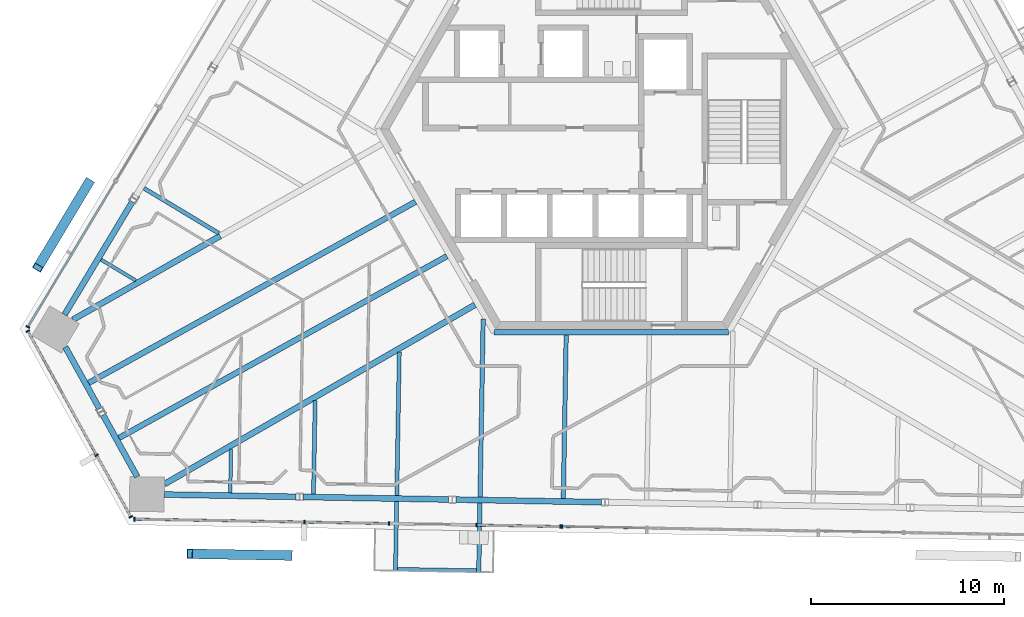
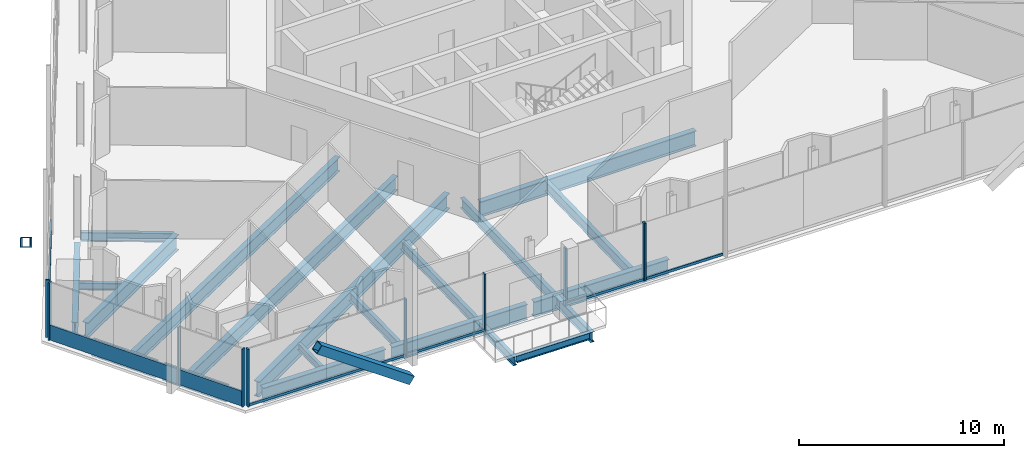
# One storey, part 4 of 22: 21 beams, 19 members, 5 elements without a shape of their own.
"""IFC4 building model written with IfcOpenShell, lengths in metres."""

from ifc_helpers import new_model, si_unit, direction, frame, origin, origin_2d, place, context, subcontext, project, spatial, rectangle, hollow_rectangle, i_section, extrude, source, transform, mapped, material, material_profile, profile_set, type_object, element, aggregate, save


model = new_model("IFC4")

# Units and contexts
model_context = context("Model", 3, precision=1e-05, world=origin(), true_north=direction((0.0, 1.0)))
body_context = subcontext(model_context, "Body", "Model", "MODEL_VIEW")
ifc_project = project(units=[si_unit("LENGTHUNIT", "METRE"), si_unit("AREAUNIT", "SQUARE_METRE"), si_unit("VOLUMEUNIT", "CUBIC_METRE"), si_unit("PLANEANGLEUNIT", "RADIAN"), si_unit("MASSUNIT", "GRAM", prefix="KILO")], contexts=[model_context])

# Site, building, storey
site_placement = place(None, origin())
site = spatial("IfcSite", under=ifc_project, at=site_placement, CompositionType="ELEMENT")
building_placement = place(site_placement, origin())
building = spatial("IfcBuilding", under=site, at=building_placement, Name="Triune Harvest Tower", CompositionType="ELEMENT")
storey_placement = place(building_placement, frame((0.0, 0.0, 208.699951171875)))
storey = spatial("IfcBuildingStorey", under=building, at=storey_placement, Name="L54", CompositionType="ELEMENT", Elevation=208.699951171875)

# Curtain wall, member
ifc_material_1 = material(Name="Aluminium bronze anodised", Category="aluminium")
curtain_wall_type_1 = type_object("IfcCurtainWallType", Name="CW-10 Balcony window wall with insulated spandrel infill", PredefinedType="NOTDEFINED", material=ifc_material_1)
curtain_wall_1_placement = place(storey_placement, origin())
curtain_wall_1 = element("IfcCurtainWall", 1, at=curtain_wall_1_placement, inside=storey, type_object=curtain_wall_type_1, Name="CW-10 B5-F5 L54 run 1")
ifc_material_2 = material(Name="Aluminium bronze anodised", Category="aluminium")
ifc_material_profile_1 = material_profile(ifc_material_2, rectangle(XDim=0.090087890625, YDim=0.14990234375, at=origin_2d()), Name="TR-6 transom 90 x 150")
ifc_profile_set_1 = profile_set([ifc_material_profile_1], Name="Aluminium bronze anodised")
member_type_1 = type_object("IfcMemberType", Name="TR-6 transom 90 x 150", PredefinedType="USERDEFINED", material=ifc_profile_set_1)
member_1_placement = place(storey_placement, frame((-24.7255859375, -20.248779296875, 0.074951171875), z_axis=(0.99984788867, -0.017441316543, 0.0), x_axis=(0.017441316543, 0.99984788867, 0.0)))
member_1 = element("IfcMember", 2, at=member_1_placement, type_object=member_type_1, Name="CW-10 transom B5-F5 1.1", ObjectType="TRANSOM", PredefinedType="USERDEFINED", context=body_context, shape_type="SweptSolid", body=[
    extrude(rectangle(XDim=0.090087890625, YDim=0.14990234375, at=origin_2d()), origin(), (0.0, 0.0, 1.0), 8.74853515625),
])

# Beams
ifc_material_3 = material(Name="Steel ASTM A992 Gr 50", Category="steel")
ifc_material_profile_2 = material_profile(ifc_material_3, i_section(OverallWidth=0.3046875, OverallDepth=0.914306640625, WebThickness=0.0166015625, FlangeThickness=0.02587890625, at=origin_2d()), Name="W36x160")
ifc_profile_set_2 = profile_set([ifc_material_profile_2], Name="Steel ASTM A992 Gr 50")
beam_type_1 = type_object("IfcBeamType", Name="CG-1 Core ring girder W36x160", PredefinedType="BEAM", material=ifc_profile_set_2)
shared_shape_1 = source(origin(), body_context, "Body", "SweptSolid", [
    extrude(i_section(OverallWidth=0.3046875, OverallDepth=0.914306640625, WebThickness=0.0166015625, FlangeThickness=0.02587890625, at=origin_2d()), origin(), (0.0, 0.0, 1.0), 12.17578125),
])
beam_1_placement = place(storey_placement, frame((-6.087890625, -10.544677734375, -0.6171875), z_axis=(1.0, 0.0, 0.0), x_axis=(0.0, 1.0, 0.0)))
element("IfcBeam", 3, at=beam_1_placement, inside=storey, type_object=beam_type_1, Name="beam/L54/CG5", PredefinedType="BEAM", context=body_context, shape_type="MappedRepresentation", body=[
    mapped(shared_shape_1, transform((0.0, 0.0, 0.0), scale=1.0)),
])
ifc_material_4 = material(Name="Steel ASTM A992 Gr 50", Category="steel")
ifc_material_profile_3 = material_profile(ifc_material_4, i_section(OverallWidth=0.3046875, OverallDepth=0.914306640625, WebThickness=0.0166015625, FlangeThickness=0.02587890625, at=origin_2d()), Name="W36x160")
ifc_profile_set_3 = profile_set([ifc_material_profile_3], Name="Steel ASTM A992 Gr 50")
beam_type_2 = type_object("IfcBeamType", Name="SB-1 Spandrel beam W36x160", PredefinedType="SPANDREL", material=ifc_profile_set_3)
shared_shape_2 = source(origin(), body_context, "Body", "SweptSolid", [
    extrude(i_section(OverallWidth=0.3046875, OverallDepth=0.914306640625, WebThickness=0.0166015625, FlangeThickness=0.02587890625, at=origin_2d()), origin(), (0.0, 0.0, 1.0), 6.841796875),
])
for number, where, z_axis, x_axis, name in (
    (4, (-24.86865234375, -3.77001953125, -0.6171875), (-0.515057137128, -0.857155846678, 0.0), (0.857155846678, -0.515057137128, 0.0), "beam/L54/SB14"),
    (5, (-23.21630859375, -18.97265625, -0.6171875), (0.999847751763, -0.01744916312, 0.0), (0.01744916312, 0.999847751763, 0.0), "beam/L54/SB17"),
):
    element("IfcBeam", number, at=place(storey_placement, frame(where, z_axis=z_axis, x_axis=x_axis)), inside=storey, type_object=beam_type_2, Name=name, PredefinedType="SPANDREL", context=body_context, shape_type="MappedRepresentation", body=[
        mapped(shared_shape_2, transform((0.0, 0.0, 0.0), scale=1.0)),
    ])
shared_shape_3 = source(origin(), body_context, "Body", "SweptSolid", [
    extrude(i_section(OverallWidth=0.3046875, OverallDepth=0.914306640625, WebThickness=0.0166015625, FlangeThickness=0.02587890625, at=origin_2d()), origin(), (0.0, 0.0, 1.0), 7.556396484375),
])
for number, where, z_axis, x_axis, name in (
    (6, (-16.0048828125, -19.098388671875, -0.6171875), (0.99984722371, -0.017479394688, 0.0), (0.017479394688, 0.99984722371, 0.0), "beam/L54/SB18"),
    (7, (-8.078857421875, -19.23681640625, -0.6171875), (0.99984722371, -0.017479394688, 0.0), (0.017479394688, 0.99984722371, 0.0), "beam/L54/SB19"),
):
    element("IfcBeam", number, at=place(storey_placement, frame(where, z_axis=z_axis, x_axis=x_axis)), inside=storey, type_object=beam_type_2, Name=name, PredefinedType="SPANDREL", context=body_context, shape_type="MappedRepresentation", body=[
        mapped(shared_shape_3, transform((0.0, 0.0, 0.0), scale=1.0)),
    ])
shared_shape_4 = source(origin(), body_context, "Body", "SweptSolid", [
    extrude(i_section(OverallWidth=0.3046875, OverallDepth=0.914306640625, WebThickness=0.0166015625, FlangeThickness=0.02587890625, at=origin_2d()), origin(), (0.0, 0.0, 1.0), 3.66357421875),
])
beam_2_placement = place(storey_placement, frame((-26.396240234375, -14.84375, -0.6171875), z_axis=(0.484794006312, -0.874628361903, 0.0), x_axis=(0.874628361903, 0.484794006312, 0.0)))
element("IfcBeam", 8, at=beam_2_placement, inside=storey, type_object=beam_type_2, Name="beam/L54/SB16", PredefinedType="SPANDREL", context=body_context, shape_type="MappedRepresentation", body=[
    mapped(shared_shape_4, transform((0.0, 0.0, 0.0), scale=1.0)),
])
shared_shape_5 = source(origin(), body_context, "Body", "SweptSolid", [
    extrude(i_section(OverallWidth=0.3046875, OverallDepth=0.914306640625, WebThickness=0.0166015625, FlangeThickness=0.02587890625, at=origin_2d()), origin(), (0.0, 0.0, 1.0), 3.663818359375),
])
beam_3_placement = place(storey_placement, frame((-28.352294921875, -11.31494140625, -0.6171875), z_axis=(0.484844980499, -0.874600105697, 0.0), x_axis=(0.874600105697, 0.484844980499, 0.0)))
element("IfcBeam", 9, at=beam_3_placement, inside=storey, type_object=beam_type_2, Name="beam/L54/SB15", PredefinedType="SPANDREL", context=body_context, shape_type="MappedRepresentation", body=[
    mapped(shared_shape_5, transform((0.0, 0.0, 0.0), scale=1.0)),
])
ifc_material_5 = material(Name="Steel ASTM A992 Gr 50", Category="steel")
ifc_material_profile_4 = material_profile(ifc_material_5, i_section(OverallWidth=0.307373046875, OverallDepth=0.922119140625, WebThickness=0.018310546875, FlangeThickness=0.030029296875, at=origin_2d()), Name="W36x182")
ifc_profile_set_4 = profile_set([ifc_material_profile_4], Name="Steel ASTM A992 Gr 50")
beam_type_3 = type_object("IfcBeamType", Name="HG-2 Hip girder W36x182", PredefinedType="BEAM", material=ifc_profile_set_4)
shared_shape_6 = source(origin(), body_context, "Body", "SweptSolid", [
    extrude(i_section(OverallWidth=0.307373046875, OverallDepth=0.922119140625, WebThickness=0.018310546875, FlangeThickness=0.030029296875, at=origin_2d()), origin(), (0.0, 0.0, 1.0), 8.79150390625),
])
beam_4_placement = place(storey_placement, frame((-27.958251953125, -9.8955078125, -0.620849609375), z_axis=(0.869275144509, 0.494328557883, 0.0), x_axis=(-0.494328557883, 0.869275144509, 0.0)))
element("IfcBeam", 10, at=beam_4_placement, inside=storey, type_object=beam_type_3, Name="beam/L54/HG5", PredefinedType="BEAM", context=body_context, shape_type="MappedRepresentation", body=[
    mapped(shared_shape_6, transform((0.0, 0.0, 0.0), scale=1.0)),
])
shared_shape_7 = source(origin(), body_context, "Body", "SweptSolid", [
    extrude(i_section(OverallWidth=0.307373046875, OverallDepth=0.922119140625, WebThickness=0.018310546875, FlangeThickness=0.030029296875, at=origin_2d()), origin(), (0.0, 0.0, 1.0), 18.616455078125),
])
beam_5_placement = place(storey_placement, frame((-23.206787109375, -18.431884765625, -0.620849609375), z_axis=(0.866022449336, 0.50000511722, 0.0), x_axis=(-0.50000511722, 0.866022449336, 0.0)))
element("IfcBeam", 11, at=beam_5_placement, inside=storey, type_object=beam_type_3, Name="beam/L54/HG7", PredefinedType="BEAM", context=body_context, shape_type="MappedRepresentation", body=[
    mapped(shared_shape_7, transform((0.0, 0.0, 0.0), scale=1.0)),
])
ifc_material_6 = material(Name="Steel ASTM A992 Gr 50", Category="steel")
ifc_material_profile_5 = material_profile(ifc_material_6, i_section(OverallWidth=0.22900390625, OverallDepth=0.612060546875, WebThickness=0.011962890625, FlangeThickness=0.01953125, at=origin_2d()), Name="W24x84")
ifc_profile_set_5 = profile_set([ifc_material_profile_5], Name="Steel ASTM A992 Gr 50")
beam_type_4 = type_object("IfcBeamType", Name="JT-3 Floor joist W24x84", PredefinedType="JOIST", material=ifc_profile_set_5)
shared_shape_8 = source(origin(), body_context, "Body", "SweptSolid", [
    extrude(i_section(OverallWidth=0.22900390625, OverallDepth=0.612060546875, WebThickness=0.011962890625, FlangeThickness=0.01953125, at=origin_2d()), origin(), (0.0, 0.0, 1.0), 9.247314453125),
])
beam_6_placement = place(storey_placement, frame((-6.8203125, -19.1064453125, -0.466064453125), z_axis=(0.017451330541, 0.999847713936, 0.0), x_axis=(-0.999847713936, 0.017451330541, 0.0)))
element("IfcBeam", 12, at=beam_6_placement, inside=storey, type_object=beam_type_4, Name="beam/L54/JT28", PredefinedType="JOIST", context=body_context, shape_type="MappedRepresentation", body=[
    mapped(shared_shape_8, transform((0.0, 0.0, 0.0), scale=1.0)),
])
shared_shape_9 = source(origin(), body_context, "Body", "SweptSolid", [
    extrude(i_section(OverallWidth=0.22900390625, OverallDepth=0.612060546875, WebThickness=0.011962890625, FlangeThickness=0.01953125, at=origin_2d()), origin(), (0.0, 0.0, 1.0), 8.486083984375),
])
beam_7_placement = place(storey_placement, frame((-2.4970703125, -19.181884765625, -0.466064453125), z_axis=(0.017434191628, 0.999848012931, 0.0), x_axis=(-0.999848012931, 0.017434191628, 0.0)))
element("IfcBeam", 13, at=beam_7_placement, inside=storey, type_object=beam_type_4, Name="beam/L54/JT29", PredefinedType="JOIST", context=body_context, shape_type="MappedRepresentation", body=[
    mapped(shared_shape_9, transform((0.0, 0.0, 0.0), scale=1.0)),
])
ifc_material_7 = material(Name="Steel ASTM A992 Gr 50", Category="steel")
ifc_material_profile_6 = material_profile(ifc_material_7, i_section(OverallWidth=0.2099609375, OverallDepth=0.535888671875, WebThickness=0.010986328125, FlangeThickness=0.017333984375, at=origin_2d()), Name="W21x68")
ifc_profile_set_6 = profile_set([ifc_material_profile_6], Name="Steel ASTM A992 Gr 50")
beam_type_5 = type_object("IfcBeamType", Name="JT-2 Floor joist W21x68", PredefinedType="JOIST", material=ifc_profile_set_6)
shared_shape_10 = source(origin(), body_context, "Body", "SweptSolid", [
    extrude(i_section(OverallWidth=0.2099609375, OverallDepth=0.535888671875, WebThickness=0.010986328125, FlangeThickness=0.017333984375, at=origin_2d()), origin(), (0.0, 0.0, 1.0), 4.538818359375),
])
beam_8_placement = place(storey_placement, frame((-24.271484375, -3.072021484375, -0.427978515625), z_axis=(0.85717477652, -0.515025632855, 0.0), x_axis=(0.515025632855, 0.85717477652, 0.0)))
element("IfcBeam", 14, at=beam_8_placement, inside=storey, type_object=beam_type_5, Name="beam/L54/JT21", PredefinedType="JOIST", context=body_context, shape_type="MappedRepresentation", body=[
    mapped(shared_shape_10, transform((0.0, 0.0, 0.0), scale=1.0)),
])
ifc_material_8 = material(Name="Steel ASTM A992 Gr 50", Category="steel")
ifc_material_profile_7 = material_profile(ifc_material_8, i_section(OverallWidth=0.2919921875, OverallDepth=0.8408203125, WebThickness=0.0146484375, FlangeThickness=0.021728515625, at=origin_2d()), Name="W33x130")
ifc_profile_set_7 = profile_set([ifc_material_profile_7], Name="Steel ASTM A992 Gr 50")
beam_type_6 = type_object("IfcBeamType", Name="JT-6 Floor joist W33x130", PredefinedType="JOIST", material=ifc_profile_set_7)
shared_shape_11 = source(origin(), body_context, "Body", "SweptSolid", [
    extrude(i_section(OverallWidth=0.2919921875, OverallDepth=0.8408203125, WebThickness=0.0146484375, FlangeThickness=0.021728515625, at=origin_2d()), origin(), (0.0, 0.0, 1.0), 19.403564453125),
])
beam_9_placement = place(storey_placement, frame((-27.142822265625, -13.1826171875, -0.580322265625), z_axis=(0.874615069694, 0.484817986325, 0.0), x_axis=(-0.484817986325, 0.874615069694, 0.0)))
element("IfcBeam", 15, at=beam_9_placement, inside=storey, type_object=beam_type_6, Name="beam/L54/JT23", PredefinedType="JOIST", context=body_context, shape_type="MappedRepresentation", body=[
    mapped(shared_shape_11, transform((0.0, 0.0, 0.0), scale=1.0)),
])
shared_shape_12 = source(origin(), body_context, "Body", "SweptSolid", [
    extrude(i_section(OverallWidth=0.2919921875, OverallDepth=0.8408203125, WebThickness=0.0146484375, FlangeThickness=0.021728515625, at=origin_2d()), origin(), (0.0, 0.0, 1.0), 19.460205078125),
])
beam_10_placement = place(storey_placement, frame((-25.562744140625, -16.03271484375, -0.580322265625), z_axis=(0.874617874633, 0.484812926161, 0.0), x_axis=(-0.484812926161, 0.874617874633, 0.0)))
element("IfcBeam", 16, at=beam_10_placement, inside=storey, type_object=beam_type_6, Name="beam/L54/JT24", PredefinedType="JOIST", context=body_context, shape_type="MappedRepresentation", body=[
    mapped(shared_shape_12, transform((0.0, 0.0, 0.0), scale=1.0)),
])
shared_shape_13 = source(origin(), body_context, "Body", "SweptSolid", [
    extrude(i_section(OverallWidth=0.2099609375, OverallDepth=0.535888671875, WebThickness=0.010986328125, FlangeThickness=0.017333984375, at=origin_2d()), origin(), (0.0, 0.0, 1.0), 4.864501953125),
])
beam_11_placement = place(storey_placement, frame((-15.467041015625, -18.95556640625, -0.427978515625), z_axis=(0.017465461228, 0.999847467199, 0.0), x_axis=(-0.999847467199, 0.017465461228, 0.0)))
element("IfcBeam", 17, at=beam_11_placement, inside=storey, type_object=beam_type_5, Name="beam/L54/JT26", PredefinedType="JOIST", context=body_context, shape_type="MappedRepresentation", body=[
    mapped(shared_shape_13, transform((0.0, 0.0, 0.0), scale=1.0)),
])
ifc_material_9 = material(Name="Steel ASTM A992 Gr 50", Category="steel")
ifc_material_profile_8 = material_profile(ifc_material_9, i_section(OverallWidth=0.180908203125, OverallDepth=0.41650390625, WebThickness=0.010986328125, FlangeThickness=0.01806640625, at=origin_2d()), Name="W16x57")
ifc_profile_set_8 = profile_set([ifc_material_profile_8], Name="Steel ASTM A992 Gr 50")
beam_type_7 = type_object("IfcBeamType", Name="JT-1 Floor joist W16x57", PredefinedType="JOIST", material=ifc_profile_set_8)
shared_shape_14 = source(origin(), body_context, "Body", "SweptSolid", [
    extrude(i_section(OverallWidth=0.180908203125, OverallDepth=0.41650390625, WebThickness=0.010986328125, FlangeThickness=0.01806640625, at=origin_2d()), origin(), (0.0, 0.0, 1.0), 2.104736328125),
])
beam_12_placement = place(storey_placement, frame((-26.498291015625, -6.7783203125, -0.3681640625), z_axis=(0.857185733632, -0.51500739612, 0.0), x_axis=(0.51500739612, 0.857185733632, 0.0)))
element("IfcBeam", 18, at=beam_12_placement, inside=storey, type_object=beam_type_7, Name="beam/L54/JT22", PredefinedType="JOIST", context=body_context, shape_type="MappedRepresentation", body=[
    mapped(shared_shape_14, transform((0.0, 0.0, 0.0), scale=1.0)),
])
shared_shape_15 = source(origin(), body_context, "Body", "SweptSolid", [
    extrude(i_section(OverallWidth=0.180908203125, OverallDepth=0.41650390625, WebThickness=0.010986328125, FlangeThickness=0.01806640625, at=origin_2d()), origin(), (0.0, 0.0, 1.0), 2.26611328125),
])
beam_13_placement = place(storey_placement, frame((-19.790283203125, -18.8798828125, -0.3681640625), z_axis=(0.017452357155, 0.999847696017, 0.0), x_axis=(-0.999847696017, 0.017452357155, 0.0)))
element("IfcBeam", 19, at=beam_13_placement, inside=storey, type_object=beam_type_7, Name="beam/L54/JT25", PredefinedType="JOIST", context=body_context, shape_type="MappedRepresentation", body=[
    mapped(shared_shape_15, transform((0.0, 0.0, 0.0), scale=1.0)),
])
shared_shape_16 = source(origin(), body_context, "Body", "SweptSolid", [
    extrude(i_section(OverallWidth=0.2099609375, OverallDepth=0.535888671875, WebThickness=0.010986328125, FlangeThickness=0.017333984375, at=origin_2d()), origin(), (0.0, 0.0, 1.0), 7.462890625),
])
beam_14_placement = place(storey_placement, frame((-11.143798828125, -19.031005859375, -0.427978515625), z_axis=(0.017469440512, 0.99984739768, 0.0), x_axis=(-0.99984739768, 0.017469440512, 0.0)))
element("IfcBeam", 20, at=beam_14_placement, inside=storey, type_object=beam_type_5, Name="beam/L54/JT27", PredefinedType="JOIST", context=body_context, shape_type="MappedRepresentation", body=[
    mapped(shared_shape_16, transform((0.0, 0.0, 0.0), scale=1.0)),
])

# Members
ifc_material_10 = material(Name="Steel ASTM A572 Gr 50", Category="steel")
ifc_material_profile_9 = material_profile(ifc_material_10, hollow_rectangle(XDim=0.5, YDim=0.5, WallThickness=0.030029296875, at=origin_2d()), Name="Box 500x500x30")
ifc_profile_set_9 = profile_set([ifc_material_profile_9], Name="Steel ASTM A572 Gr 50")
member_type_2 = type_object("IfcMemberType", Name="BR-3 Brace Box 500x500x30", PredefinedType="BRACE", material=ifc_profile_set_9)
shared_shape_17 = source(origin(), body_context, "Body", "SweptSolid", [
    extrude(hollow_rectangle(XDim=0.5, YDim=0.5, WallThickness=0.030029296875, at=origin_2d()), origin(), (0.0, 0.0, 1.0), 6.302978515625),
])
for number, where, z_axis, x_axis, name in (
    (21, (-27.119140625, -2.75439453125, 0.0), (-0.422741643471, -0.703601058607, 0.571169898719), (0.857180490419, -0.515016122898, 0.0), "brace/B5-F3/d1/9"),
    (22, (-16.71728515625, -22.138671875, 0.0), (-0.820702450546, 0.014331692784, 0.57117605889), (-0.017460052757, -0.99984756166, 0.0), "brace/B5-F5/d2/9"),
):
    element("IfcMember", number, at=place(storey_placement, frame(where, z_axis=z_axis, x_axis=x_axis)), inside=storey, type_object=member_type_2, Name=name, PredefinedType="BRACE", context=body_context, shape_type="MappedRepresentation", body=[
        mapped(shared_shape_17, transform((0.0, 0.0, 0.0), scale=1.0)),
    ])

# Curtain wall, member
ifc_material_11 = material(Name="Aluminium bronze anodised", Category="aluminium")
curtain_wall_type_2 = type_object("IfcCurtainWallType", Name="CW-7 Tower stick curtain wall with insulated spandrel infill", PredefinedType="NOTDEFINED", material=ifc_material_11)
curtain_wall_2_placement = place(storey_placement, origin())
curtain_wall_2 = element("IfcCurtainWall", 23, at=curtain_wall_2_placement, inside=storey, type_object=curtain_wall_type_2, Name="CW-7 B5-F3 L54 run 4001")
ifc_material_12 = material(Name="Aluminium bronze anodised", Category="aluminium")
ifc_material_profile_10 = material_profile(ifc_material_12, rectangle(XDim=0.199951171875, YDim=0.074951171875, at=origin_2d()), Name="MU-1 mullion 75 x 200")
ifc_profile_set_10 = profile_set([ifc_material_profile_10], Name="Aluminium bronze anodised")
member_type_3 = type_object("IfcMemberType", Name="MU-1 mullion 75 x 200", PredefinedType="MULLION", material=ifc_profile_set_10)
shared_shape_18 = source(origin(), body_context, "Body", "SweptSolid", [
    extrude(rectangle(XDim=0.199951171875, YDim=0.074951171875, at=origin_2d()), origin(), (0.0, 0.0, 1.0), 3.43994140625),
])
member_2_placement = place(storey_placement, frame((-30.293701171875, -10.2705078125, 0.0), z_axis=(0.0, 0.0, 1.0), x_axis=(0.857166467941, -0.515039460855, 0.0)))
member_2 = element("IfcMember", 24, at=member_2_placement, type_object=member_type_3, Name="CW-7 mullion B5-F3 4001.3", PredefinedType="MULLION", context=body_context, shape_type="MappedRepresentation", body=[
    mapped(shared_shape_18, transform((0.0, 0.0, 0.0), scale=1.0)),
])

# Curtain wall, members
curtain_wall_3_placement = place(storey_placement, origin())
curtain_wall_3 = element("IfcCurtainWall", 25, at=curtain_wall_3_placement, inside=storey, type_object=curtain_wall_type_2, Name="CW-7 B5-F4 L54 run 1")
member_3_placement = place(storey_placement, frame((-30.297607421875, -10.4912109375, 0.0), z_axis=(0.0, 0.0, 1.0), x_axis=(0.874623958582, 0.484801950362, 0.0)))
member_3 = element("IfcMember", 26, at=member_3_placement, type_object=member_type_3, Name="CW-7 mullion B5-F4 1.1", PredefinedType="MULLION", context=body_context, shape_type="MappedRepresentation", body=[
    mapped(shared_shape_18, transform((0.0, 0.0, 0.0), scale=1.0)),
])
member_4_placement = place(storey_placement, frame((-26.72802734375, -16.930908203125, 0.0), z_axis=(0.0, 0.0, 1.0), x_axis=(0.874623958582, 0.484801950362, 0.0)))
member_4 = element("IfcMember", 27, at=member_4_placement, type_object=member_type_3, Name="CW-7 mullion B5-F4 1.3", PredefinedType="MULLION", context=body_context, shape_type="MappedRepresentation", body=[
    mapped(shared_shape_18, transform((0.0, 0.0, 0.0), scale=1.0)),
])
member_5_placement = place(storey_placement, frame((-24.952392578125, -20.13427734375, 0.0), z_axis=(0.0, 0.0, 1.0), x_axis=(0.874623958582, 0.484801950362, 0.0)))
member_5 = element("IfcMember", 28, at=member_5_placement, type_object=member_type_3, Name="CW-7 mullion B5-F4 1.4", PredefinedType="MULLION", context=body_context, shape_type="MappedRepresentation", body=[
    mapped(shared_shape_18, transform((0.0, 0.0, 0.0), scale=1.0)),
])

# Member
ifc_material_13 = material(Name="Aluminium bronze anodised", Category="aluminium")
ifc_material_profile_11 = material_profile(ifc_material_13, rectangle(XDim=0.199951171875, YDim=0.074951171875, at=origin_2d()), Name="MU-6 mullion 75 x 200")
ifc_profile_set_11 = profile_set([ifc_material_profile_11], Name="Aluminium bronze anodised")
member_type_4 = type_object("IfcMemberType", Name="MU-6 mullion 75 x 200", PredefinedType="MULLION", material=ifc_profile_set_11)
shared_shape_19 = source(origin(), body_context, "Body", "SweptSolid", [
    extrude(rectangle(XDim=0.199951171875, YDim=0.074951171875, at=origin_2d()), origin(), (0.0, 0.0, 1.0), 3.43994140625),
])
member_6_placement = place(storey_placement, frame((-24.76318359375, -20.248046875, 0.0), z_axis=(0.0, 0.0, 1.0), x_axis=(0.017451657526, 0.999847708228, 0.0)))
member_6 = element("IfcMember", 29, at=member_6_placement, type_object=member_type_4, Name="CW-10 mullion B5-F5 1.1", PredefinedType="MULLION", context=body_context, shape_type="MappedRepresentation", body=[
    mapped(shared_shape_19, transform((0.0, 0.0, 0.0), scale=1.0)),
])

member_7_placement = place(storey_placement, frame((-15.940673828125, -20.402099609375, 0.0), z_axis=(0.0, 0.0, 1.0), x_axis=(0.017451657526, 0.999847708228, 0.0)))
member_7 = element("IfcMember", 30, at=member_7_placement, type_object=member_type_4, Name="CW-10 mullion B5-F5 1.3", PredefinedType="MULLION", context=body_context, shape_type="MappedRepresentation", body=[
    mapped(shared_shape_19, transform((0.0, 0.0, 0.0), scale=1.0)),
])

member_8_placement = place(storey_placement, frame((-11.54833984375, -20.478759765625, 0.0), z_axis=(0.0, 0.0, 1.0), x_axis=(0.017451657526, 0.999847708228, 0.0)))
member_8 = element("IfcMember", 31, at=member_8_placement, type_object=member_type_4, Name="CW-10 mullion B5-F5 1.4", PredefinedType="MULLION", context=body_context, shape_type="MappedRepresentation", body=[
    mapped(shared_shape_19, transform((0.0, 0.0, 0.0), scale=1.0)),
])

# Curtain wall, members
curtain_wall_4_placement = place(storey_placement, origin())
curtain_wall_4 = element("IfcCurtainWall", 32, at=curtain_wall_4_placement, inside=storey, type_object=curtain_wall_type_1, Name="CW-10 B5-F5 L54 run 2")
member_9_placement = place(storey_placement, frame((-7.01318359375, -20.557861328125, 0.0), z_axis=(0.0, 0.0, 1.0), x_axis=(0.017451075826, 0.999847718381, 0.0)))
member_9 = element("IfcMember", 33, at=member_9_placement, type_object=member_type_4, Name="CW-10 mullion B5-F5 2.1", PredefinedType="MULLION", context=body_context, shape_type="MappedRepresentation", body=[
    mapped(shared_shape_19, transform((0.0, 0.0, 0.0), scale=1.0)),
])
member_10_placement = place(storey_placement, frame((-2.64111328125, -20.634033203125, 0.0), z_axis=(0.0, 0.0, 1.0), x_axis=(0.017451075826, 0.999847718381, 0.0)))
member_10 = element("IfcMember", 34, at=member_10_placement, type_object=member_type_4, Name="CW-10 mullion B5-F5 2.2", PredefinedType="MULLION", context=body_context, shape_type="MappedRepresentation", body=[
    mapped(shared_shape_19, transform((0.0, 0.0, 0.0), scale=1.0)),
])

# Curtain wall, member
ifc_material_14 = material(Name="Aluminium bronze anodised", Category="aluminium")
curtain_wall_type_3 = type_object("IfcCurtainWallType", Name="CW-6 Balcony window wall", PredefinedType="NOTDEFINED", material=ifc_material_14)
curtain_wall_5_placement = place(storey_placement, origin())
curtain_wall_5 = element("IfcCurtainWall", 35, at=curtain_wall_5_placement, inside=storey, type_object=curtain_wall_type_3, Name="CW-6 B5-F5 L54 run 1002")
member_11_placement = place(storey_placement, frame((-2.566162109375, -20.635498046875, 0.0), z_axis=(0.0, 0.0, 1.0), x_axis=(0.017446917898, 0.999847790944, 0.0)))
member_11 = element("IfcMember", 36, at=member_11_placement, type_object=member_type_4, Name="CW-6 mullion B5-F5 1002.1", PredefinedType="MULLION", context=body_context, shape_type="MappedRepresentation", body=[
    mapped(shared_shape_19, transform((0.0, 0.0, 0.0), scale=1.0)),
])

# Beams
ifc_material_15 = material(Name="Steel ASTM A992 Gr 50", Category="steel")
ifc_material_profile_12 = material_profile(ifc_material_15, i_section(OverallWidth=0.22900390625, OverallDepth=0.612060546875, WebThickness=0.011962890625, FlangeThickness=0.01953125, at=origin_2d()), Name="W24x84")
ifc_profile_set_12 = profile_set([ifc_material_profile_12], Name="Steel ASTM A992 Gr 50")
beam_type_8 = type_object("IfcBeamType", Name="BJ-3 Balcony cantilever joist W24x84", PredefinedType="JOIST", material=ifc_profile_set_12)
shared_shape_20 = source(origin(), body_context, "Body", "SweptSolid", [
    extrude(i_section(OverallWidth=0.22900390625, OverallDepth=0.612060546875, WebThickness=0.011962890625, FlangeThickness=0.01953125, at=origin_2d()), origin(), (0.0, 0.0, 1.0), 3.59765625),
])
beam_15_placement = place(storey_placement, frame((-6.82568359375, -19.4111328125, -0.466064453125), z_axis=(-0.017439996831, -0.99984791169, 0.0), x_axis=(0.99984791169, -0.017439996831, 0.0)))
element("IfcBeam", 37, at=beam_15_placement, inside=storey, type_object=beam_type_8, Name="Balcony cantilever joist B5-F5 L54.4b", PredefinedType="JOIST", context=body_context, shape_type="MappedRepresentation", body=[
    mapped(shared_shape_20, transform((0.0, 0.0, 0.0), scale=1.0)),
])
ifc_material_16 = material(Name="Steel ASTM A992 Gr 50", Category="steel")
ifc_material_profile_13 = material_profile(ifc_material_16, i_section(OverallWidth=0.2099609375, OverallDepth=0.535888671875, WebThickness=0.010986328125, FlangeThickness=0.017333984375, at=origin_2d()), Name="W21x68")
ifc_profile_set_13 = profile_set([ifc_material_profile_13], Name="Steel ASTM A992 Gr 50")
beam_type_9 = type_object("IfcBeamType", Name="BJ-2 Balcony cantilever joist W21x68", PredefinedType="JOIST", material=ifc_profile_set_13)
shared_shape_21 = source(origin(), body_context, "Body", "SweptSolid", [
    extrude(i_section(OverallWidth=0.2099609375, OverallDepth=0.535888671875, WebThickness=0.010986328125, FlangeThickness=0.017333984375, at=origin_2d()), origin(), (0.0, 0.0, 1.0), 3.59765625),
])
beam_16_placement = place(storey_placement, frame((-11.14892578125, -19.335693359375, -0.427978515625), z_axis=(-0.01750783598, -0.999846726093, 0.0), x_axis=(0.999846726093, -0.01750783598, 0.0)))
element("IfcBeam", 38, at=beam_16_placement, inside=storey, type_object=beam_type_9, Name="Balcony cantilever joist B5-F5 L54.4a", PredefinedType="JOIST", context=body_context, shape_type="MappedRepresentation", body=[
    mapped(shared_shape_21, transform((0.0, 0.0, 0.0), scale=1.0)),
])

# Member
ifc_material_17 = material(Name="Aluminium bronze anodised", Category="aluminium")
ifc_material_profile_14 = material_profile(ifc_material_17, rectangle(XDim=0.090087890625, YDim=0.89990234375, at=origin_2d()), Name="TR-1 transom 90 x 900")
ifc_profile_set_14 = profile_set([ifc_material_profile_14], Name="Aluminium bronze anodised")
member_type_5 = type_object("IfcMemberType", Name="TR-1 transom 90 x 900", PredefinedType="USERDEFINED", material=ifc_profile_set_14)
shared_shape_22 = source(origin(), body_context, "Body", "SweptSolid", [
    extrude(rectangle(XDim=0.090087890625, YDim=0.89990234375, at=origin_2d()), origin(), (0.0, 0.0, 1.0), 7.28759765625),
])
member_12_placement = place(storey_placement, frame((-30.279296875, -10.524169921875, 0.449951171875), z_axis=(0.484786537831, -0.874632501533, 0.0), x_axis=(0.874632501533, 0.484786537831, 0.0)))
member_12 = element("IfcMember", 39, at=member_12_placement, type_object=member_type_5, Name="CW-7 transom B5-F4 1.1", ObjectType="TRANSOM", PredefinedType="USERDEFINED", context=body_context, shape_type="MappedRepresentation", body=[
    mapped(shared_shape_22, transform((0.0, 0.0, 0.0), scale=1.0)),
])

shared_shape_23 = source(origin(), body_context, "Body", "SweptSolid", [
    extrude(rectangle(XDim=0.090087890625, YDim=0.89990234375, at=origin_2d()), origin(), (0.0, 0.0, 1.0), 3.587646484375),
])
member_13_placement = place(storey_placement, frame((-26.7099609375, -16.963623046875, 0.449951171875), z_axis=(0.484781810323, -0.874635121854, 0.0), x_axis=(0.874635121854, 0.484781810323, 0.0)))
member_13 = element("IfcMember", 40, at=member_13_placement, type_object=member_type_5, Name="CW-7 transom B5-F4 1.2", ObjectType="TRANSOM", PredefinedType="USERDEFINED", context=body_context, shape_type="MappedRepresentation", body=[
    mapped(shared_shape_23, transform((0.0, 0.0, 0.0), scale=1.0)),
])

aggregate(curtain_wall_3, [member_3, member_4, member_5, member_12, member_13])

shared_shape_24 = source(origin(), body_context, "Body", "SweptSolid", [
    extrude(rectangle(XDim=0.090087890625, YDim=0.14990234375, at=origin_2d()), origin(), (0.0, 0.0, 1.0), 4.318359375),
])
member_14_placement = place(storey_placement, frame((-15.9033203125, -20.402587890625, 0.074951171875), z_axis=(0.999847391961, -0.017469767832, 0.0), x_axis=(0.017469767832, 0.999847391961, 0.0)))
member_14 = element("IfcMember", 41, at=member_14_placement, type_object=member_type_1, Name="CW-10 transom B5-F5 1.2", ObjectType="TRANSOM", PredefinedType="USERDEFINED", context=body_context, shape_type="MappedRepresentation", body=[
    mapped(shared_shape_24, transform((0.0, 0.0, 0.0), scale=1.0)),
])

aggregate(curtain_wall_1, [member_6, member_7, member_8, member_1, member_14])

# Beam
ifc_material_18 = material(Name="Steel ASTM A992 Gr 50", Category="steel")
ifc_material_profile_15 = material_profile(ifc_material_18, i_section(OverallWidth=0.180908203125, OverallDepth=0.41650390625, WebThickness=0.010986328125, FlangeThickness=0.01806640625, at=origin_2d()), Name="W16x57")
ifc_profile_set_15 = profile_set([ifc_material_profile_15], Name="Steel ASTM A992 Gr 50")
beam_type_10 = type_object("IfcBeamType", Name="BE-1 balcony edge beam W16x57", PredefinedType="BEAM", material=ifc_profile_set_15)
shared_shape_25 = source(origin(), body_context, "Body", "SweptSolid", [
    extrude(i_section(OverallWidth=0.180908203125, OverallDepth=0.41650390625, WebThickness=0.010986328125, FlangeThickness=0.01806640625, at=origin_2d()), origin(), (0.0, 0.0, 1.0), 4.1044921875),
])
beam_17_placement = place(storey_placement, frame((-11.105224609375, -22.84423828125, -0.3681640625), z_axis=(0.999847074017, -0.017487955248, 0.0), x_axis=(0.017487955248, 0.999847074017, 0.0)))
element("IfcBeam", 42, at=beam_17_placement, inside=storey, type_object=beam_type_10, Name="Balcony edge beam B5-F5 L54.4", PredefinedType="BEAM", context=body_context, shape_type="MappedRepresentation", body=[
    mapped(shared_shape_25, transform((0.0, 0.0, 0.0), scale=1.0)),
])

# Member
shared_shape_26 = source(origin(), body_context, "Body", "SweptSolid", [
    extrude(rectangle(XDim=0.090087890625, YDim=0.14990234375, at=origin_2d()), origin(), (0.0, 0.0, 1.0), 4.2978515625),
])
member_15_placement = place(storey_placement, frame((-6.975830078125, -20.55859375, 0.074951171875), z_axis=(0.99984791969, -0.017439538171, 0.0), x_axis=(0.017439538171, 0.99984791969, 0.0)))
member_15 = element("IfcMember", 43, at=member_15_placement, type_object=member_type_1, Name="CW-10 transom B5-F5 2.1", ObjectType="TRANSOM", PredefinedType="USERDEFINED", context=body_context, shape_type="MappedRepresentation", body=[
    mapped(shared_shape_26, transform((0.0, 0.0, 0.0), scale=1.0)),
])

aggregate(curtain_wall_4, [member_9, member_10, member_15])

member_16_placement = place(storey_placement, frame((-2.52880859375, -20.63623046875, 0.074951171875), z_axis=(0.99984791969, -0.017439538171, 0.0), x_axis=(0.017439538171, 0.99984791969, 0.0)))
member_16 = element("IfcMember", 44, at=member_16_placement, type_object=member_type_1, Name="CW-6 transom B5-F5 1002.1", ObjectType="TRANSOM", PredefinedType="USERDEFINED", context=body_context, shape_type="MappedRepresentation", body=[
    mapped(shared_shape_26, transform((0.0, 0.0, 0.0), scale=1.0)),
])

aggregate(curtain_wall_5, [member_11, member_16])

shared_shape_27 = source(origin(), body_context, "Body", "SweptSolid", [
    extrude(rectangle(XDim=0.090087890625, YDim=0.89990234375, at=origin_2d()), origin(), (0.0, 0.0, 1.0), 8.738525390625),
])
member_17_placement = place(storey_placement, frame((-25.773681640625, -2.748046875, 0.449951171875), z_axis=(-0.515050313568, -0.857159946855, 0.0), x_axis=(0.857159946855, -0.515050313568, 0.0)))
member_17 = element("IfcMember", 45, at=member_17_placement, type_object=member_type_5, Name="CW-7 transom B5-F3 4001.1", ObjectType="TRANSOM", PredefinedType="USERDEFINED", context=body_context, shape_type="MappedRepresentation", body=[
    mapped(shared_shape_27, transform((0.0, 0.0, 0.0), scale=1.0)),
])

aggregate(curtain_wall_2, [member_2, member_17])

save(model, "model.ifc")
